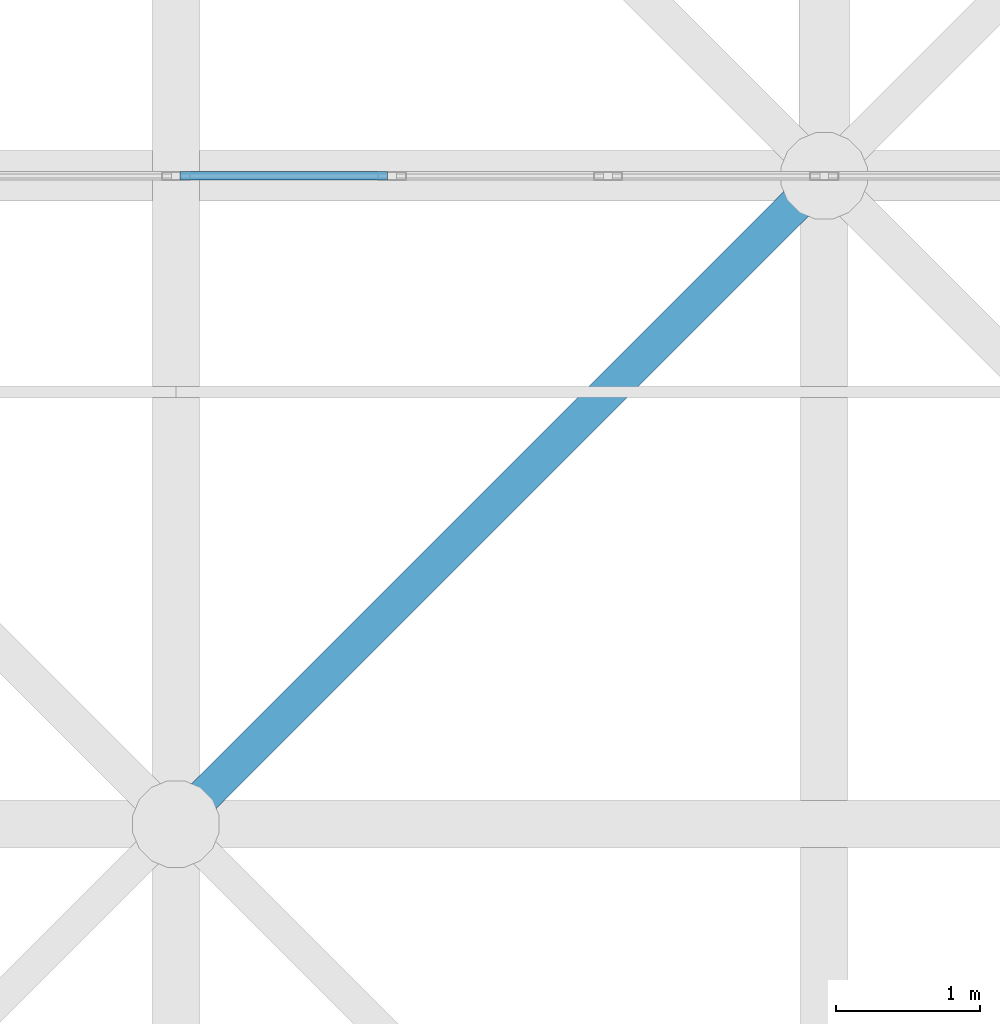
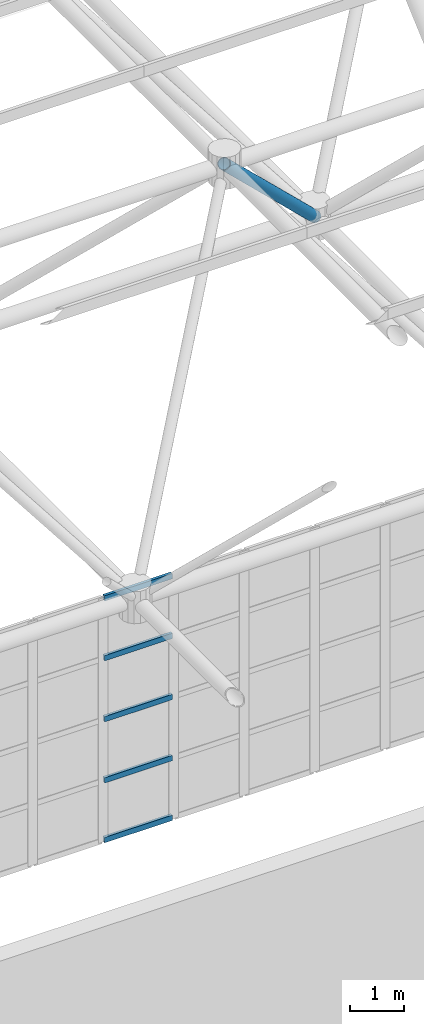
# One storey, part 183 of 437: 6 members, 1 element without a shape of its own.
"""IFC4 building model written with IfcOpenShell, lengths in metres."""

from ifc_helpers import new_model, si_unit, direction, frame, origin, origin_2d, place, context, subcontext, project, spatial, hollow_rectangle, hollow_circle, extrude, material, layer, layer_set, material_profile, profile_set, type_object, element, aggregate, save


model = new_model("IFC4")

# Units and contexts
model_context = context("Model", 3, precision=1e-05, world=origin(), true_north=direction((0.0, 1.0)))
body_context = subcontext(model_context, "Body", "Model", "MODEL_VIEW")
ifc_project = project(units=[si_unit("LENGTHUNIT", "METRE"), si_unit("AREAUNIT", "SQUARE_METRE"), si_unit("VOLUMEUNIT", "CUBIC_METRE"), si_unit("PLANEANGLEUNIT", "RADIAN"), si_unit("MASSUNIT", "GRAM", prefix="KILO")], contexts=[model_context])

# Site, building, storey
site_placement = place(None, origin())
site = spatial("IfcSite", under=ifc_project, at=site_placement, CompositionType="ELEMENT")
building_placement = place(site_placement, origin())
building = spatial("IfcBuilding", under=site, at=building_placement, Name="Opaline Strait Convention Centre", CompositionType="ELEMENT")
storey_placement = place(building_placement, frame((0.0, 0.0, 11.5)))
storey = spatial("IfcBuildingStorey", under=building, at=storey_placement, Name="L02", CompositionType="ELEMENT", Elevation=11.5)

# Curtain wall, members
ifc_material_1 = material(Name="Aluminium framed glazing", Category="aluminium")
ifc_layer = layer(ifc_material_1, 0.199951171875)
ifc_layer_set = layer_set([ifc_layer], Name="Aluminium framed glazing")
curtain_wall_type = type_object("IfcCurtainWallType", Name="Entrance curtain wall 1500", PredefinedType="NOTDEFINED", material=ifc_layer_set)
curtain_wall_placement = place(storey_placement, origin())
curtain_wall = element("IfcCurtainWall", 1, at=curtain_wall_placement, inside=storey, type_object=curtain_wall_type, Name="Entrance curtain wall L02-R3", PredefinedType="NOTDEFINED")
ifc_material_2 = material(Name="Aluminium alloy 6063", Category="aluminium")
ifc_material_profile_1 = material_profile(ifc_material_2, hollow_rectangle(XDim=0.06005859375, YDim=0.1201171875, WallThickness=0.0029296875, at=origin_2d()), Name="TRANSOM 60x120x3")
ifc_profile_set_1 = profile_set([ifc_material_profile_1], Name="Aluminium alloy 6063")
member_type_1 = type_object("IfcMemberType", Name="Curtain wall transom 60 x 120", PredefinedType="USERDEFINED", material=ifc_profile_set_1)
member_1_placement = place(storey_placement, frame((193.530029296875, 144.0, 0.030029296875), z_axis=(1.0, 0.0, 0.0), x_axis=(0.0, 1.0, 0.0)))
member_1 = element("IfcMember", 2, at=member_1_placement, type_object=member_type_1, Name="XCW transom 4.1", ObjectType="TRANSOM", PredefinedType="USERDEFINED", context=body_context, shape_type="SweptSolid", body=[
    extrude(hollow_rectangle(XDim=0.06005859375, YDim=0.1201171875, WallThickness=0.0029296875, at=origin_2d()), origin(), (0.0, 0.0, 1.0), 1.43994140625),
])
member_2_placement = place(storey_placement, frame((193.530029296875, 144.0, 1.375), z_axis=(1.0, 0.0, 0.0), x_axis=(0.0, 1.0, 0.0)))
member_2 = element("IfcMember", 3, at=member_2_placement, type_object=member_type_1, Name="XCW transom 4.2", ObjectType="TRANSOM", PredefinedType="USERDEFINED", context=body_context, shape_type="SweptSolid", body=[
    extrude(hollow_rectangle(XDim=0.06005859375, YDim=0.1201171875, WallThickness=0.0029296875, at=origin_2d()), origin(), (0.0, 0.0, 1.0), 1.43994140625),
])
member_3_placement = place(storey_placement, frame((193.530029296875, 144.0, 2.75), z_axis=(1.0, 0.0, 0.0), x_axis=(0.0, 1.0, 0.0)))
member_3 = element("IfcMember", 4, at=member_3_placement, type_object=member_type_1, Name="XCW transom 4.3", ObjectType="TRANSOM", PredefinedType="USERDEFINED", context=body_context, shape_type="SweptSolid", body=[
    extrude(hollow_rectangle(XDim=0.06005859375, YDim=0.1201171875, WallThickness=0.0029296875, at=origin_2d()), origin(), (0.0, 0.0, 1.0), 1.43994140625),
])
member_4_placement = place(storey_placement, frame((193.530029296875, 144.0, 4.125), z_axis=(1.0, 0.0, 0.0), x_axis=(0.0, 1.0, 0.0)))
member_4 = element("IfcMember", 5, at=member_4_placement, type_object=member_type_1, Name="XCW transom 4.4", ObjectType="TRANSOM", PredefinedType="USERDEFINED", context=body_context, shape_type="SweptSolid", body=[
    extrude(hollow_rectangle(XDim=0.06005859375, YDim=0.1201171875, WallThickness=0.0029296875, at=origin_2d()), origin(), (0.0, 0.0, 1.0), 1.43994140625),
])
member_5_placement = place(storey_placement, frame((193.530029296875, 144.0, 5.469970703125), z_axis=(1.0, 0.0, 0.0), x_axis=(0.0, 1.0, 0.0)))
member_5 = element("IfcMember", 6, at=member_5_placement, type_object=member_type_1, Name="XCW transom 4.5", ObjectType="TRANSOM", PredefinedType="USERDEFINED", context=body_context, shape_type="SweptSolid", body=[
    extrude(hollow_rectangle(XDim=0.06005859375, YDim=0.1201171875, WallThickness=0.0029296875, at=origin_2d()), origin(), (0.0, 0.0, 1.0), 1.43994140625),
])
aggregate(curtain_wall, [member_1, member_2, member_3, member_4, member_5])

# Member
ifc_material_3 = material(Name="Steel Q355B", Category="steel")
ifc_material_profile_2 = material_profile(ifc_material_3, hollow_circle(Radius=0.12255859375, WallThickness=0.011962890625, at=origin_2d()), Name="CHS 245x12")
ifc_profile_set_2 = profile_set([ifc_material_profile_2], Name="Steel Q355B")
member_type_2 = type_object("IfcMemberType", Name="Space frame web CHS 245x12", PredefinedType="BRACE", material=ifc_profile_set_2)
member_6_placement = place(storey_placement, frame((193.47314453125, 139.47314453125, 18.004150390625), z_axis=(0.536178220346, 0.536178220346, -0.6519400525), x_axis=(-0.707106781187, 0.707106781187, 0.0)))
element("IfcMember", 7, at=member_6_placement, inside=storey, type_object=member_type_2, Name="EXB-RF-W-12-11-00", PredefinedType="BRACE", context=body_context, shape_type="SweptSolid", body=[
    extrude(hollow_circle(Radius=0.12255859375, WallThickness=0.011962890625, at=origin_2d()), origin(), (0.0, 0.0, 1.0), 8.492919921875),
])

save(model, "model.ifc")
